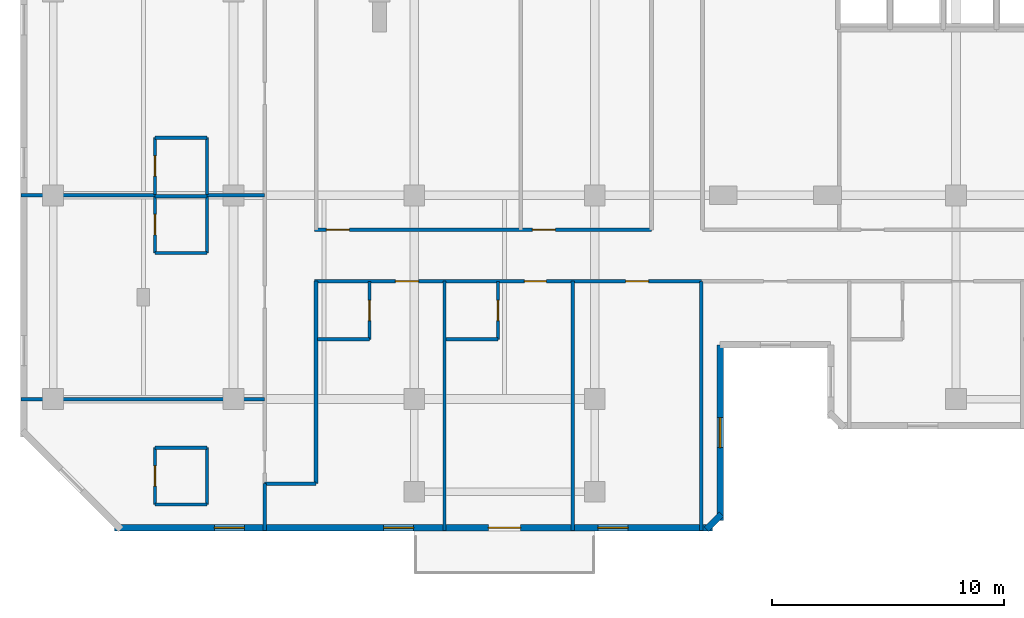
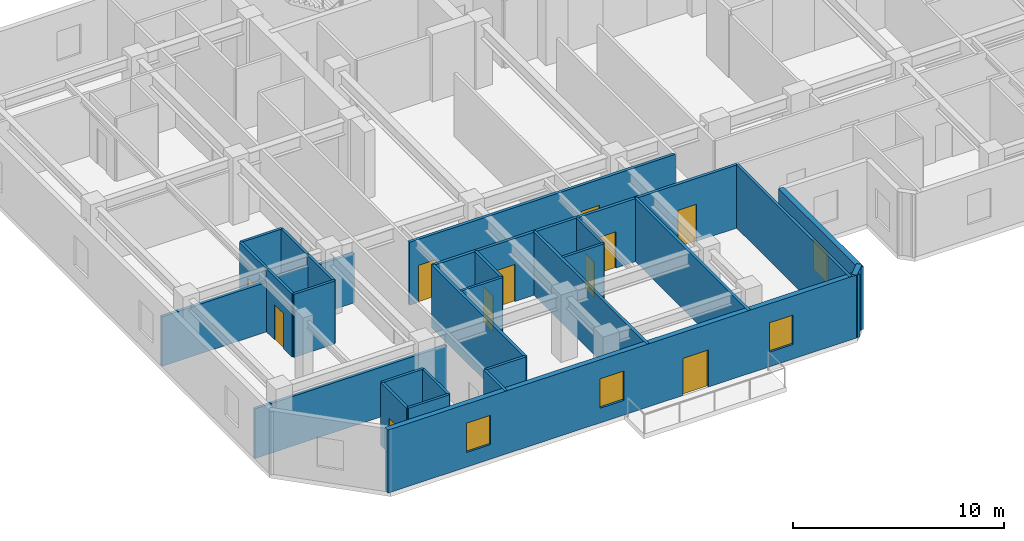
# One storey, part 4 of 11: 29 walls, 11 doors, 4 windows, 15 openings.
"""IFC4 building model written with IfcOpenShell, lengths in metres."""

from ifc_helpers import new_model, si_unit, direction, frame, frame_2d, origin, place, context, subcontext, project, spatial, rectangle, extrude, material, layer, layer_set, type_object, element, fill, save


model = new_model("IFC4")

# Units and contexts
model_context = context("Model", 3, precision=1e-05, world=origin(), true_north=direction((0.0, 1.0)))
body_context = subcontext(model_context, "Body", "Model", "MODEL_VIEW")
ifc_project = project(units=[si_unit("LENGTHUNIT", "METRE"), si_unit("AREAUNIT", "SQUARE_METRE"), si_unit("VOLUMEUNIT", "CUBIC_METRE"), si_unit("PLANEANGLEUNIT", "RADIAN"), si_unit("MASSUNIT", "GRAM", prefix="KILO")], contexts=[model_context])

# Site, building, storey
site_placement = place(None, origin())
site = spatial("IfcSite", under=ifc_project, at=site_placement, CompositionType="ELEMENT")
building_placement = place(site_placement, origin())
building = spatial("IfcBuilding", under=site, at=building_placement, Name="Kestravale Grand Hotel", CompositionType="ELEMENT")
storey_placement = place(building_placement, frame((0.0, 0.0, 208.5)))
storey = spatial("IfcBuildingStorey", under=building, at=storey_placement, Name="L52", CompositionType="ELEMENT", Elevation=208.5)

# Wall, openings, door, windows
ifc_material_1 = material(Name="Precast concrete f'c 45 MPa", Category="concrete")
ifc_layer_1 = layer(ifc_material_1, 0.280029296875)
ifc_layer_set_1 = layer_set([ifc_layer_1], Name="EW-PREC-280")
wall_type_1 = type_object("IfcWallType", Name="EW-PREC-280", PredefinedType="SOLIDWALL", material=ifc_layer_set_1)
wall_1_placement = place(storey_placement, frame((10.4599609375, 5.639892578125, 0.0), z_axis=(0.0, 0.0, 1.0), x_axis=(1.0, 0.0, 0.0)))
wall_1 = element("IfcWall", 1, at=wall_1_placement, inside=storey, type_object=wall_type_1, Name="L52 fluted precast facade wall 1", PredefinedType="SOLIDWALL", context=body_context, shape_type="SweptSolid", body=[
    extrude(rectangle(XDim=25.830078125, YDim=0.280029296875, at=frame_2d((12.9150390625, 0.0))), origin(), (0.0, 0.0, 1.0), 3.64990234375),
])
opening_1_placement = place(wall_1_placement, frame((16.139892578125, 0.0, 0.0)))
opening_1 = element("IfcOpeningElement", 2, at=opening_1_placement, cuts=wall_1, Name="Opening D-TERR-1400", PredefinedType="OPENING", context=body_context, shape_type="SweptSolid", body=[
    extrude(rectangle(XDim=1.39990234375, YDim=2.14990234375, at=frame_2d((0.699951171875, 1.074951171875))), frame((0.0, 0.14990234375, 0.0), z_axis=(0.0, -1.0, 0.0), x_axis=(1.0, 0.0, 0.0)), (0.0, 0.0, 1.0), 0.300048828125),
])
opening_2_placement = place(wall_1_placement, frame((4.304931640625, 0.0, 0.85009765625)))
opening_2 = element("IfcOpeningElement", 3, at=opening_2_placement, cuts=wall_1, Name="Opening W-GUEST-1300", PredefinedType="OPENING", context=body_context, shape_type="SweptSolid", body=[
    extrude(rectangle(XDim=1.300048828125, YDim=1.699951171875, at=frame_2d((0.64990234375, 0.85009765625))), frame((0.0, 0.14990234375, 0.0), z_axis=(0.0, -1.0, 0.0), x_axis=(1.0, 0.0, 0.0)), (0.0, 0.0, 1.0), 0.300048828125),
])
opening_3_placement = place(wall_1_placement, frame((11.614990234375, 0.0, 0.85009765625)))
opening_3 = element("IfcOpeningElement", 4, at=opening_3_placement, cuts=wall_1, Name="Opening W-GUEST-1300", PredefinedType="OPENING", context=body_context, shape_type="SweptSolid", body=[
    extrude(rectangle(XDim=1.300048828125, YDim=1.699951171875, at=frame_2d((0.64990234375, 0.85009765625))), frame((0.0, 0.14990234375, 0.0), z_axis=(0.0, -1.0, 0.0), x_axis=(1.0, 0.0, 0.0)), (0.0, 0.0, 1.0), 0.300048828125),
])
opening_4_placement = place(wall_1_placement, frame((20.875, 0.0, 0.85009765625)))
opening_4 = element("IfcOpeningElement", 5, at=opening_4_placement, cuts=wall_1, Name="Opening W-GUEST-1300", PredefinedType="OPENING", context=body_context, shape_type="SweptSolid", body=[
    extrude(rectangle(XDim=1.300048828125, YDim=1.699951171875, at=frame_2d((0.64990234375, 0.85009765625))), frame((0.0, 0.14990234375, 0.0), z_axis=(0.0, -1.0, 0.0), x_axis=(1.0, 0.0, 0.0)), (0.0, 0.0, 1.0), 0.300048828125),
])
ifc_material_2 = material(Name="Insulated glazed champagne-bronze aluminium door", Category="aluminium")
door_type_1 = type_object("IfcDoorType", Name="D-TERR-1400", OperationType="NOTDEFINED", PredefinedType="DOOR", material=ifc_material_2)
door_1_placement = place(opening_1_placement, origin())
door_1 = element("IfcDoor", 6, at=door_1_placement, inside=storey, type_object=door_type_1, Name="L52 outdoor garden terrace door", OperationType="DOUBLE_DOOR_SINGLE_SWING", OverallHeight=2.14990234375, OverallWidth=1.39990234375, PredefinedType="DOOR", context=body_context, shape_type="SweptSolid", body=[
    extrude(rectangle(XDim=1.39990234375, YDim=2.14990234375, at=frame_2d((0.699951171875, 1.074951171875))), frame((0.0, 0.02490234375, 0.0), z_axis=(0.0, -1.0, 0.0), x_axis=(1.0, 0.0, 0.0)), (0.0, 0.0, 1.0), 0.050048828125),
])
fill(opening_1, door_1)
ifc_material_3 = material(Name="Insulated low-E double glazing in aluminium frame", Category="aluminium")
window_type = type_object("IfcWindowType", Name="W-GUEST-1300", PartitioningType="SINGLE_PANEL", PredefinedType="WINDOW", material=ifc_material_3)
window_1_placement = place(opening_2_placement, origin())
window_1 = element("IfcWindow", 7, at=window_1_placement, inside=storey, type_object=window_type, Name="L52 exterior window 1.1", OverallHeight=1.699951171875, OverallWidth=1.300048828125, PartitioningType="SINGLE_PANEL", PredefinedType="WINDOW", context=body_context, shape_type="SweptSolid", body=[
    extrude(rectangle(XDim=1.300048828125, YDim=1.699951171875, at=frame_2d((0.64990234375, 0.85009765625))), frame((0.0, 0.030029296875, 0.0), z_axis=(0.0, -1.0, 0.0), x_axis=(1.0, 0.0, 0.0)), (0.0, 0.0, 1.0), 0.06005859375),
])
fill(opening_2, window_1)
window_2_placement = place(opening_3_placement, origin())
window_2 = element("IfcWindow", 8, at=window_2_placement, inside=storey, type_object=window_type, Name="L52 exterior window 1.2", OverallHeight=1.699951171875, OverallWidth=1.300048828125, PartitioningType="SINGLE_PANEL", PredefinedType="WINDOW", context=body_context, shape_type="SweptSolid", body=[
    extrude(rectangle(XDim=1.300048828125, YDim=1.699951171875, at=frame_2d((0.64990234375, 0.85009765625))), frame((0.0, 0.030029296875, 0.0), z_axis=(0.0, -1.0, 0.0), x_axis=(1.0, 0.0, 0.0)), (0.0, 0.0, 1.0), 0.06005859375),
])
fill(opening_3, window_2)
window_3_placement = place(opening_4_placement, origin())
window_3 = element("IfcWindow", 9, at=window_3_placement, inside=storey, type_object=window_type, Name="L52 exterior window 1.3", OverallHeight=1.699951171875, OverallWidth=1.300048828125, PartitioningType="SINGLE_PANEL", PredefinedType="WINDOW", context=body_context, shape_type="SweptSolid", body=[
    extrude(rectangle(XDim=1.300048828125, YDim=1.699951171875, at=frame_2d((0.64990234375, 0.85009765625))), frame((0.0, 0.030029296875, 0.0), z_axis=(0.0, -1.0, 0.0), x_axis=(1.0, 0.0, 0.0)), (0.0, 0.0, 1.0), 0.06005859375),
])
fill(opening_4, window_3)

# Wall
wall_2_placement = place(storey_placement, frame((36.022705078125, 5.57080078125, 0.0), z_axis=(0.0, 0.0, 1.0), x_axis=(0.707106781187, 0.707106781187, 0.0)))
element("IfcWall", 10, at=wall_2_placement, inside=storey, type_object=wall_type_1, Name="L52 fluted precast facade wall 2", PredefinedType="SOLIDWALL", context=body_context, shape_type="SweptSolid", body=[
    extrude(rectangle(XDim=0.928466796875, YDim=0.280029296875, at=frame_2d((0.46435546875, 0.0))), origin(), (0.0, 0.0, 1.0), 3.64990234375),
])

# Wall, opening, window
wall_3_placement = place(storey_placement, frame((36.610107421875, 5.9599609375, 0.0), z_axis=(0.0, 0.0, 1.0), x_axis=(0.0, 1.0, 0.0)))
wall_3 = element("IfcWall", 11, at=wall_3_placement, inside=storey, type_object=wall_type_1, Name="L52 fluted precast facade wall 3", PredefinedType="SOLIDWALL", context=body_context, shape_type="SweptSolid", body=[
    extrude(rectangle(XDim=7.580078125, YDim=0.280029296875, at=frame_2d((3.7900390625, 0.0))), origin(), (0.0, 0.0, 1.0), 3.64990234375),
])
opening_5_placement = place(wall_3_placement, frame((3.139892578125, 0.0, 0.85009765625)))
opening_5 = element("IfcOpeningElement", 12, at=opening_5_placement, cuts=wall_3, Name="Opening W-GUEST-1300", PredefinedType="OPENING", context=body_context, shape_type="SweptSolid", body=[
    extrude(rectangle(XDim=1.300048828125, YDim=1.699951171875, at=frame_2d((0.64990234375, 0.85009765625))), frame((0.0, 0.14990234375, 0.0), z_axis=(0.0, -1.0, 0.0), x_axis=(1.0, 0.0, 0.0)), (0.0, 0.0, 1.0), 0.300048828125),
])
window_4_placement = place(opening_5_placement, origin())
window_4 = element("IfcWindow", 13, at=window_4_placement, inside=storey, type_object=window_type, Name="L52 exterior window 3.1", OverallHeight=1.699951171875, OverallWidth=1.300048828125, PartitioningType="SINGLE_PANEL", PredefinedType="WINDOW", context=body_context, shape_type="SweptSolid", body=[
    extrude(rectangle(XDim=1.300048828125, YDim=1.699951171875, at=frame_2d((0.64990234375, 0.85009765625))), frame((0.0, 0.030029296875, 0.0), z_axis=(0.0, -1.0, 0.0), x_axis=(1.0, 0.0, 0.0)), (0.0, 0.0, 1.0), 0.06005859375),
])
fill(opening_5, window_4)

# Wall, openings, doors
ifc_material_4 = material(Name="Acoustic fire-rated gypsum board partition", Category="other")
ifc_layer_2 = layer(ifc_material_4, 0.159912109375)
ifc_layer_set_2 = layer_set([ifc_layer_2], Name="IW-CORR-160")
wall_type_2 = type_object("IfcWallType", Name="IW-CORR-160", PredefinedType="PARTITIONING", material=ifc_layer_set_2)
wall_4_placement = place(storey_placement, frame((19.10009765625, 18.510009765625, 0.0), z_axis=(0.0, 0.0, 1.0), x_axis=(1.0, 0.0, 0.0)))
wall_4 = element("IfcWall", 14, at=wall_4_placement, inside=storey, type_object=wall_type_2, Name="W-L52-CW-N", PredefinedType="PARTITIONING", context=body_context, shape_type="SweptSolid", body=[
    extrude(rectangle(XDim=14.5498046875, YDim=0.159912109375, at=frame_2d((7.27490234375, 0.0))), origin(), (0.0, 0.0, 1.0), 3.64990234375),
])
opening_6_placement = place(wall_4_placement, frame((0.5, 0.0, 0.0)))
opening_6 = element("IfcOpeningElement", 15, at=opening_6_placement, cuts=wall_4, Name="Opening D-GUEST-1000", PredefinedType="OPENING", context=body_context, shape_type="SweptSolid", body=[
    extrude(rectangle(XDim=1.0, YDim=2.14990234375, at=frame_2d((0.5, 1.074951171875))), frame((0.0, 0.08984375, 0.0), z_axis=(0.0, -1.0, 0.0), x_axis=(1.0, 0.0, 0.0)), (0.0, 0.0, 1.0), 0.179931640625),
])
opening_7_placement = place(wall_4_placement, frame((9.39990234375, 0.0, 0.0)))
opening_7 = element("IfcOpeningElement", 16, at=opening_7_placement, cuts=wall_4, Name="Opening D-GUEST-1000", PredefinedType="OPENING", context=body_context, shape_type="SweptSolid", body=[
    extrude(rectangle(XDim=1.0, YDim=2.14990234375, at=frame_2d((0.5, 1.074951171875))), frame((0.0, 0.08984375, 0.0), z_axis=(0.0, -1.0, 0.0), x_axis=(1.0, 0.0, 0.0)), (0.0, 0.0, 1.0), 0.179931640625),
])
ifc_material_5 = material(Name="Accessible walnut veneer hotel entrance fire door", Category="wood")
door_type_2 = type_object("IfcDoorType", Name="D-GUEST-1000", OperationType="NOTDEFINED", PredefinedType="DOOR", material=ifc_material_5)
door_2_placement = place(opening_6_placement, origin())
door_2 = element("IfcDoor", 17, at=door_2_placement, inside=storey, type_object=door_type_2, Name="D-L52-RECL-W1", OperationType="SINGLE_SWING_RIGHT", OverallHeight=2.14990234375, OverallWidth=1.0, PredefinedType="DOOR", context=body_context, shape_type="SweptSolid", body=[
    extrude(rectangle(XDim=1.0, YDim=2.14990234375, at=frame_2d((0.5, 1.074951171875))), frame((0.0, 0.02490234375, 0.0), z_axis=(0.0, -1.0, 0.0), x_axis=(1.0, 0.0, 0.0)), (0.0, 0.0, 1.0), 0.050048828125),
])
fill(opening_6, door_2)
door_3_placement = place(opening_7_placement, origin())
door_3 = element("IfcDoor", 18, at=door_3_placement, inside=storey, type_object=door_type_2, Name="D-L52-RECL-W2", OperationType="SINGLE_SWING_LEFT", OverallHeight=2.14990234375, OverallWidth=1.0, PredefinedType="DOOR", context=body_context, shape_type="SweptSolid", body=[
    extrude(rectangle(XDim=1.0, YDim=2.14990234375, at=frame_2d((0.5, 1.074951171875))), frame((0.0, 0.02490234375, 0.0), z_axis=(0.0, -1.0, 0.0), x_axis=(1.0, 0.0, 0.0)), (0.0, 0.0, 1.0), 0.050048828125),
])
fill(opening_7, door_3)

wall_5_placement = place(storey_placement, frame((19.10009765625, 16.2900390625, 0.0), z_axis=(0.0, 0.0, 1.0), x_axis=(1.0, 0.0, 0.0)))
wall_5 = element("IfcWall", 19, at=wall_5_placement, inside=storey, type_object=wall_type_2, Name="W-L52-CW-S", PredefinedType="PARTITIONING", context=body_context, shape_type="SweptSolid", body=[
    extrude(rectangle(XDim=16.699951171875, YDim=0.159912109375, at=frame_2d((8.35009765625, 0.0))), origin(), (0.0, 0.0, 1.0), 3.64990234375),
])
opening_8_placement = place(wall_5_placement, frame((3.48828125, 0.0, 0.0)))
opening_8 = element("IfcOpeningElement", 20, at=opening_8_placement, cuts=wall_5, Name="Opening D-GUEST-1000", PredefinedType="OPENING", context=body_context, shape_type="SweptSolid", body=[
    extrude(rectangle(XDim=1.0, YDim=2.14990234375, at=frame_2d((0.5, 1.074951171875))), frame((0.0, 0.08984375, 0.0), z_axis=(0.0, -1.0, 0.0), x_axis=(1.0, 0.0, 0.0)), (0.0, 0.0, 1.0), 0.179931640625),
])
opening_9_placement = place(wall_5_placement, frame((9.06005859375, 0.0, 0.0)))
opening_9 = element("IfcOpeningElement", 21, at=opening_9_placement, cuts=wall_5, Name="Opening D-GUEST-950", PredefinedType="OPENING", context=body_context, shape_type="SweptSolid", body=[
    extrude(rectangle(XDim=0.949951171875, YDim=2.10009765625, at=frame_2d((0.47509765625, 1.050048828125))), frame((0.0, 0.08984375, 0.0), z_axis=(0.0, -1.0, 0.0), x_axis=(1.0, 0.0, 0.0)), (0.0, 0.0, 1.0), 0.179931640625),
])
opening_10_placement = place(wall_5_placement, frame((13.426513671875, 0.0, 0.0)))
opening_10 = element("IfcOpeningElement", 22, at=opening_10_placement, cuts=wall_5, Name="Opening D-GUEST-1000", PredefinedType="OPENING", context=body_context, shape_type="SweptSolid", body=[
    extrude(rectangle(XDim=1.0, YDim=2.14990234375, at=frame_2d((0.5, 1.074951171875))), frame((0.0, 0.08984375, 0.0), z_axis=(0.0, -1.0, 0.0), x_axis=(1.0, 0.0, 0.0)), (0.0, 0.0, 1.0), 0.179931640625),
])
door_4_placement = place(opening_8_placement, origin())
door_4 = element("IfcDoor", 23, at=door_4_placement, inside=storey, type_object=door_type_2, Name="D-L52-U01-ENT", OperationType="SINGLE_SWING_LEFT", OverallHeight=2.14990234375, OverallWidth=1.0, PredefinedType="DOOR", context=body_context, shape_type="SweptSolid", body=[
    extrude(rectangle(XDim=1.0, YDim=2.14990234375, at=frame_2d((0.5, 1.074951171875))), frame((0.0, 0.02490234375, 0.0), z_axis=(0.0, -1.0, 0.0), x_axis=(1.0, 0.0, 0.0)), (0.0, 0.0, 1.0), 0.050048828125),
])
fill(opening_8, door_4)
door_5_placement = place(opening_10_placement, origin())
door_5 = element("IfcDoor", 24, at=door_5_placement, inside=storey, type_object=door_type_2, Name="D-L52-AMW", OperationType="SINGLE_SWING_RIGHT", OverallHeight=2.14990234375, OverallWidth=1.0, PredefinedType="DOOR", context=body_context, shape_type="SweptSolid", body=[
    extrude(rectangle(XDim=1.0, YDim=2.14990234375, at=frame_2d((0.5, 1.074951171875))), frame((0.0, 0.02490234375, 0.0), z_axis=(0.0, -1.0, 0.0), x_axis=(1.0, 0.0, 0.0)), (0.0, 0.0, 1.0), 0.050048828125),
])
fill(opening_10, door_5)
ifc_material_6 = material(Name="Walnut veneer hotel guestroom entrance fire door", Category="wood")
door_type_3 = type_object("IfcDoorType", Name="D-GUEST-950", OperationType="NOTDEFINED", PredefinedType="DOOR", material=ifc_material_6)
door_6_placement = place(opening_9_placement, origin())
door_6 = element("IfcDoor", 25, at=door_6_placement, inside=storey, type_object=door_type_3, Name="D-L52-U02-ENT", OperationType="SINGLE_SWING_LEFT", OverallHeight=2.10009765625, OverallWidth=0.949951171875, PredefinedType="DOOR", context=body_context, shape_type="SweptSolid", body=[
    extrude(rectangle(XDim=0.949951171875, YDim=2.10009765625, at=frame_2d((0.47509765625, 1.050048828125))), frame((0.0, 0.02490234375, 0.0), z_axis=(0.0, -1.0, 0.0), x_axis=(1.0, 0.0, 0.0)), (0.0, 0.0, 1.0), 0.050048828125),
])
fill(opening_9, door_6)

# Wall
wall_6_placement = place(storey_placement, frame((19.159912109375, 7.550048828125, 0.0), z_axis=(0.0, 0.0, 1.0), x_axis=(0.0, 1.0, 0.0)))
element("IfcWall", 26, at=wall_6_placement, inside=storey, type_object=wall_type_2, Name="W-L52-SW-E", PredefinedType="PARTITIONING", context=body_context, shape_type="SweptSolid", body=[
    extrude(rectangle(XDim=8.739990234375, YDim=0.159912109375, at=frame_2d((4.3701171875, 0.0))), origin(), (0.0, 0.0, 1.0), 3.64990234375),
])

# Wall, opening, door
ifc_material_7 = material(Name="Moisture-resistant tile-backer plumbing chase wall", Category="other")
ifc_layer_3 = layer(ifc_material_7, 0.139892578125)
ifc_layer_set_3 = layer_set([ifc_layer_3], Name="IW-PLB-140")
wall_type_3 = type_object("IfcWallType", Name="IW-PLB-140", PredefinedType="PLUMBINGWALL", material=ifc_layer_set_3)
wall_7_placement = place(storey_placement, frame((21.469970703125, 13.780029296875, 0.0), z_axis=(0.0, 0.0, 1.0), x_axis=(0.0, 1.0, 0.0)))
wall_7 = element("IfcWall", 27, at=wall_7_placement, inside=storey, type_object=wall_type_3, Name="W-L52-U01-BE", PredefinedType="PLUMBINGWALL", context=body_context, shape_type="SweptSolid", body=[
    extrude(rectangle(XDim=2.489990234375, YDim=0.139892578125, at=frame_2d((1.2451171875, 0.0))), origin(), (0.0, 0.0, 1.0), 3.64990234375),
])
opening_11_placement = place(wall_7_placement, frame((0.804931640625, 0.0, 0.0)))
opening_11 = element("IfcOpeningElement", 28, at=opening_11_placement, cuts=wall_7, Name="Opening D-BATH-880", PredefinedType="OPENING", context=body_context, shape_type="SweptSolid", body=[
    extrude(rectangle(XDim=0.8798828125, YDim=2.050048828125, at=frame_2d((0.43994140625, 1.02490234375))), frame((0.0, 0.079833984375, 0.0), z_axis=(0.0, -1.0, 0.0), x_axis=(1.0, 0.0, 0.0)), (0.0, 0.0, 1.0), 0.159912109375),
])
ifc_material_8 = material(Name="Moisture-sealed walnut en-suite bathroom door", Category="wood")
door_type_4 = type_object("IfcDoorType", Name="D-BATH-880", OperationType="NOTDEFINED", PredefinedType="DOOR", material=ifc_material_8)
door_7_placement = place(opening_11_placement, origin())
door_7 = element("IfcDoor", 29, at=door_7_placement, inside=storey, type_object=door_type_4, Name="D-L52-U01-BATH", OperationType="SINGLE_SWING_RIGHT", OverallHeight=2.050048828125, OverallWidth=0.8798828125, PredefinedType="DOOR", context=body_context, shape_type="SweptSolid", body=[
    extrude(rectangle(XDim=0.8798828125, YDim=2.050048828125, at=frame_2d((0.43994140625, 1.02490234375))), frame((0.0, 0.02490234375, 0.0), z_axis=(0.0, -1.0, 0.0), x_axis=(1.0, 0.0, 0.0)), (0.0, 0.0, 1.0), 0.050048828125),
])
fill(opening_11, door_7)

# Wall
wall_8_placement = place(storey_placement, frame((19.219970703125, 13.780029296875, 0.0), z_axis=(0.0, 0.0, 1.0), x_axis=(1.0, 0.0, 0.0)))
element("IfcWall", 30, at=wall_8_placement, inside=storey, type_object=wall_type_3, Name="W-L52-U01-BS", PredefinedType="PLUMBINGWALL", context=body_context, shape_type="SweptSolid", body=[
    extrude(rectangle(XDim=2.25, YDim=0.139892578125, at=frame_2d((1.125, 0.0))), origin(), (0.0, 0.0, 1.0), 3.64990234375),
])

# Wall, opening, door
wall_9_placement = place(storey_placement, frame((27.0166015625, 13.780029296875, 0.0), z_axis=(0.0, 0.0, 1.0), x_axis=(0.0, 1.0, 0.0)))
wall_9 = element("IfcWall", 31, at=wall_9_placement, inside=storey, type_object=wall_type_3, Name="W-L52-U02-BE", PredefinedType="PLUMBINGWALL", context=body_context, shape_type="SweptSolid", body=[
    extrude(rectangle(XDim=2.489990234375, YDim=0.139892578125, at=frame_2d((1.2451171875, 0.0))), origin(), (0.0, 0.0, 1.0), 3.64990234375),
])
opening_12_placement = place(wall_9_placement, frame((0.804931640625, 0.0, 0.0)))
opening_12 = element("IfcOpeningElement", 32, at=opening_12_placement, cuts=wall_9, Name="Opening D-BATH-880", PredefinedType="OPENING", context=body_context, shape_type="SweptSolid", body=[
    extrude(rectangle(XDim=0.8798828125, YDim=2.050048828125, at=frame_2d((0.43994140625, 1.02490234375))), frame((0.0, 0.079833984375, 0.0), z_axis=(0.0, -1.0, 0.0), x_axis=(1.0, 0.0, 0.0)), (0.0, 0.0, 1.0), 0.159912109375),
])
door_8_placement = place(opening_12_placement, origin())
door_8 = element("IfcDoor", 33, at=door_8_placement, inside=storey, type_object=door_type_4, Name="D-L52-U02-BATH", OperationType="SINGLE_SWING_RIGHT", OverallHeight=2.050048828125, OverallWidth=0.8798828125, PredefinedType="DOOR", context=body_context, shape_type="SweptSolid", body=[
    extrude(rectangle(XDim=0.8798828125, YDim=2.050048828125, at=frame_2d((0.43994140625, 1.02490234375))), frame((0.0, 0.02490234375, 0.0), z_axis=(0.0, -1.0, 0.0), x_axis=(1.0, 0.0, 0.0)), (0.0, 0.0, 1.0), 0.050048828125),
])
fill(opening_12, door_8)

# Wall
wall_10_placement = place(storey_placement, frame((24.7666015625, 13.780029296875, 0.0), z_axis=(0.0, 0.0, 1.0), x_axis=(1.0, 0.0, 0.0)))
element("IfcWall", 34, at=wall_10_placement, inside=storey, type_object=wall_type_3, Name="W-L52-U02-BS", PredefinedType="PLUMBINGWALL", context=body_context, shape_type="SweptSolid", body=[
    extrude(rectangle(XDim=2.25, YDim=0.139892578125, at=frame_2d((1.125, 0.0))), origin(), (0.0, 0.0, 1.0), 3.64990234375),
])

# Wall, opening, door
wall_11_placement = place(storey_placement, frame((12.199951171875, 6.64990234375, 0.0), z_axis=(0.0, 0.0, 1.0), x_axis=(0.0, 1.0, 0.0)))
wall_11 = element("IfcWall", 35, at=wall_11_placement, inside=storey, type_object=wall_type_3, Name="W-L52-U05-BW", PredefinedType="PLUMBINGWALL", context=body_context, shape_type="SweptSolid", body=[
    extrude(rectangle(XDim=2.4501953125, YDim=0.139892578125, at=frame_2d((1.22509765625, 0.0))), origin(), (0.0, 0.0, 1.0), 3.64990234375),
])
opening_13_placement = place(wall_11_placement, frame((0.784912109375, 0.0, 0.0)))
opening_13 = element("IfcOpeningElement", 36, at=opening_13_placement, cuts=wall_11, Name="Opening D-BATH-880", PredefinedType="OPENING", context=body_context, shape_type="SweptSolid", body=[
    extrude(rectangle(XDim=0.8798828125, YDim=2.050048828125, at=frame_2d((0.43994140625, 1.02490234375))), frame((0.0, 0.079833984375, 0.0), z_axis=(0.0, -1.0, 0.0), x_axis=(1.0, 0.0, 0.0)), (0.0, 0.0, 1.0), 0.159912109375),
])
door_9_placement = place(opening_13_placement, origin())
door_9 = element("IfcDoor", 37, at=door_9_placement, inside=storey, type_object=door_type_4, Name="D-L52-U05-BATH", OperationType="SINGLE_SWING_RIGHT", OverallHeight=2.050048828125, OverallWidth=0.8798828125, PredefinedType="DOOR", context=body_context, shape_type="SweptSolid", body=[
    extrude(rectangle(XDim=0.8798828125, YDim=2.050048828125, at=frame_2d((0.43994140625, 1.02490234375))), frame((0.0, 0.02490234375, 0.0), z_axis=(0.0, -1.0, 0.0), x_axis=(1.0, 0.0, 0.0)), (0.0, 0.0, 1.0), 0.050048828125),
])
fill(opening_13, door_9)

# Walls
wall_12_placement = place(storey_placement, frame((14.449951171875, 6.64990234375, 0.0), z_axis=(0.0, 0.0, 1.0), x_axis=(0.0, 1.0, 0.0)))
element("IfcWall", 38, at=wall_12_placement, inside=storey, type_object=wall_type_3, Name="W-L52-U05-BE", PredefinedType="PLUMBINGWALL", context=body_context, shape_type="SweptSolid", body=[
    extrude(rectangle(XDim=2.4501953125, YDim=0.139892578125, at=frame_2d((1.22509765625, 0.0))), origin(), (0.0, 0.0, 1.0), 3.64990234375),
])
for number, where, z_axis, x_axis, name in (
    (39, (12.199951171875, 6.64990234375, 0.0), (0.0, 0.0, 1.0), (1.0, 0.0, 0.0), "W-L52-U05-BS"),
    (40, (12.199951171875, 9.10009765625, 0.0), (0.0, 0.0, 1.0), (1.0, 0.0, 0.0), "W-L52-U05-BN"),
):
    element("IfcWall", number, at=place(storey_placement, frame(where, z_axis=z_axis, x_axis=x_axis)), inside=storey, type_object=wall_type_3, Name=name, PredefinedType="PLUMBINGWALL", context=body_context, shape_type="SweptSolid", body=[
        extrude(rectangle(XDim=2.25, YDim=0.139892578125, at=frame_2d((1.125, 0.0))), origin(), (0.0, 0.0, 1.0), 3.64990234375),
    ])

# Wall, opening, door
wall_13_placement = place(storey_placement, frame((12.199951171875, 17.510009765625, 0.0), z_axis=(0.0, 0.0, 1.0), x_axis=(0.0, 1.0, 0.0)))
wall_13 = element("IfcWall", 41, at=wall_13_placement, inside=storey, type_object=wall_type_3, Name="W-L52-U06-BW", PredefinedType="PLUMBINGWALL", context=body_context, shape_type="SweptSolid", body=[
    extrude(rectangle(XDim=2.449951171875, YDim=0.139892578125, at=frame_2d((1.22509765625, 0.0))), origin(), (0.0, 0.0, 1.0), 3.64990234375),
])
opening_14_placement = place(wall_13_placement, frame((0.784912109375, 0.0, 0.0)))
opening_14 = element("IfcOpeningElement", 42, at=opening_14_placement, cuts=wall_13, Name="Opening D-BATH-880", PredefinedType="OPENING", context=body_context, shape_type="SweptSolid", body=[
    extrude(rectangle(XDim=0.8798828125, YDim=2.050048828125, at=frame_2d((0.43994140625, 1.02490234375))), frame((0.0, 0.079833984375, 0.0), z_axis=(0.0, -1.0, 0.0), x_axis=(1.0, 0.0, 0.0)), (0.0, 0.0, 1.0), 0.159912109375),
])
door_10_placement = place(opening_14_placement, origin())
door_10 = element("IfcDoor", 43, at=door_10_placement, inside=storey, type_object=door_type_4, Name="D-L52-U06-BATH", OperationType="SINGLE_SWING_RIGHT", OverallHeight=2.050048828125, OverallWidth=0.8798828125, PredefinedType="DOOR", context=body_context, shape_type="SweptSolid", body=[
    extrude(rectangle(XDim=0.8798828125, YDim=2.050048828125, at=frame_2d((0.43994140625, 1.02490234375))), frame((0.0, 0.02490234375, 0.0), z_axis=(0.0, -1.0, 0.0), x_axis=(1.0, 0.0, 0.0)), (0.0, 0.0, 1.0), 0.050048828125),
])
fill(opening_14, door_10)

# Walls
wall_14_placement = place(storey_placement, frame((14.449951171875, 17.510009765625, 0.0), z_axis=(0.0, 0.0, 1.0), x_axis=(0.0, 1.0, 0.0)))
element("IfcWall", 44, at=wall_14_placement, inside=storey, type_object=wall_type_3, Name="W-L52-U06-BE", PredefinedType="PLUMBINGWALL", context=body_context, shape_type="SweptSolid", body=[
    extrude(rectangle(XDim=2.449951171875, YDim=0.139892578125, at=frame_2d((1.22509765625, 0.0))), origin(), (0.0, 0.0, 1.0), 3.64990234375),
])
wall_15_placement = place(storey_placement, frame((12.199951171875, 17.510009765625, 0.0), z_axis=(0.0, 0.0, 1.0), x_axis=(1.0, 0.0, 0.0)))
element("IfcWall", 45, at=wall_15_placement, inside=storey, type_object=wall_type_3, Name="W-L52-U06-BS", PredefinedType="PLUMBINGWALL", context=body_context, shape_type="SweptSolid", body=[
    extrude(rectangle(XDim=2.25, YDim=0.139892578125, at=frame_2d((1.125, 0.0))), origin(), (0.0, 0.0, 1.0), 3.64990234375),
])
wall_16_placement = place(storey_placement, frame((12.199951171875, 19.9599609375, 0.0), z_axis=(0.0, 0.0, 1.0), x_axis=(1.0, 0.0, 0.0)))
element("IfcWall", 46, at=wall_16_placement, inside=storey, type_object=wall_type_3, Name="W-L52-U06-BN", PredefinedType="PLUMBINGWALL", context=body_context, shape_type="SweptSolid", body=[
    extrude(rectangle(XDim=2.25, YDim=0.139892578125, at=frame_2d((1.125, 0.0))), origin(), (0.0, 0.0, 1.0), 3.0380859375),
])

# Wall, opening, door
wall_17_placement = place(storey_placement, frame((12.199951171875, 20.0400390625, 0.0), z_axis=(0.0, 0.0, 1.0), x_axis=(0.0, 1.0, 0.0)))
wall_17 = element("IfcWall", 47, at=wall_17_placement, inside=storey, type_object=wall_type_3, Name="W-L52-U07-BW", PredefinedType="PLUMBINGWALL", context=body_context, shape_type="SweptSolid", body=[
    extrude(rectangle(XDim=2.449951171875, YDim=0.139892578125, at=frame_2d((1.22509765625, 0.0))), origin(), (0.0, 0.0, 1.0), 3.64990234375),
])
opening_15_placement = place(wall_17_placement, frame((0.784912109375, 0.0, 0.0)))
opening_15 = element("IfcOpeningElement", 48, at=opening_15_placement, cuts=wall_17, Name="Opening D-BATH-880", PredefinedType="OPENING", context=body_context, shape_type="SweptSolid", body=[
    extrude(rectangle(XDim=0.8798828125, YDim=2.050048828125, at=frame_2d((0.43994140625, 1.02490234375))), frame((0.0, 0.079833984375, 0.0), z_axis=(0.0, -1.0, 0.0), x_axis=(1.0, 0.0, 0.0)), (0.0, 0.0, 1.0), 0.159912109375),
])
door_11_placement = place(opening_15_placement, origin())
door_11 = element("IfcDoor", 49, at=door_11_placement, inside=storey, type_object=door_type_4, Name="D-L52-U07-BATH", OperationType="SINGLE_SWING_RIGHT", OverallHeight=2.050048828125, OverallWidth=0.8798828125, PredefinedType="DOOR", context=body_context, shape_type="SweptSolid", body=[
    extrude(rectangle(XDim=0.8798828125, YDim=2.050048828125, at=frame_2d((0.43994140625, 1.02490234375))), frame((0.0, 0.02490234375, 0.0), z_axis=(0.0, -1.0, 0.0), x_axis=(1.0, 0.0, 0.0)), (0.0, 0.0, 1.0), 0.050048828125),
])
fill(opening_15, door_11)

# Walls
wall_18_placement = place(storey_placement, frame((14.449951171875, 20.0400390625, 0.0), z_axis=(0.0, 0.0, 1.0), x_axis=(0.0, 1.0, 0.0)))
element("IfcWall", 50, at=wall_18_placement, inside=storey, type_object=wall_type_3, Name="W-L52-U07-BE", PredefinedType="PLUMBINGWALL", context=body_context, shape_type="SweptSolid", body=[
    extrude(rectangle(XDim=2.449951171875, YDim=0.139892578125, at=frame_2d((1.22509765625, 0.0))), origin(), (0.0, 0.0, 1.0), 3.64990234375),
])
wall_19_placement = place(storey_placement, frame((12.199951171875, 22.489990234375, 0.0), z_axis=(0.0, 0.0, 1.0), x_axis=(1.0, 0.0, 0.0)))
element("IfcWall", 51, at=wall_19_placement, inside=storey, type_object=wall_type_3, Name="W-L52-U07-BN", PredefinedType="PLUMBINGWALL", context=body_context, shape_type="SweptSolid", body=[
    extrude(rectangle(XDim=2.25, YDim=0.139892578125, at=frame_2d((1.125, 0.0))), origin(), (0.0, 0.0, 1.0), 3.64990234375),
])
ifc_material_9 = material(Name="Double-stud STC 52 acoustic demising partition", Category="other")
ifc_layer_4 = layer(ifc_material_9, 0.14990234375)
ifc_layer_set_4 = layer_set([ifc_layer_4], Name="IW-UNIT-150")
wall_type_4 = type_object("IfcWallType", Name="IW-UNIT-150", PredefinedType="PARTITIONING", material=ifc_layer_set_4)
wall_20_placement = place(storey_placement, frame((16.93994140625, 7.550048828125, 0.0), z_axis=(0.0, 0.0, 1.0), x_axis=(1.0, 0.0, 0.0)))
element("IfcWall", 52, at=wall_20_placement, inside=storey, type_object=wall_type_4, Name="W-L52-SW-S", PredefinedType="PARTITIONING", context=body_context, shape_type="SweptSolid", body=[
    extrude(rectangle(XDim=2.219970703125, YDim=0.14990234375, at=frame_2d((1.10986328125, 0.0))), origin(), (0.0, 0.0, 1.0), 3.64990234375),
])
for number, where, z_axis, x_axis, name in (
    (53, (24.706787109375, 5.52001953125, 0.0), (0.0, 0.0, 1.0), (0.0, 1.0, 0.0), "W-L52-WS-1"),
    (54, (30.25341796875, 5.52001953125, 0.0), (0.0, 0.0, 1.0), (0.0, 1.0, 0.0), "W-L52-WS-2"),
):
    element("IfcWall", number, at=place(storey_placement, frame(where, z_axis=z_axis, x_axis=x_axis)), inside=storey, type_object=wall_type_4, Name=name, PredefinedType="PARTITIONING", context=body_context, shape_type="SweptSolid", body=[
        extrude(rectangle(XDim=10.77001953125, YDim=0.14990234375, at=frame_2d((5.385009765625, 0.0))), origin(), (0.0, 0.0, 1.0), 3.64990234375),
    ])
wall_21_placement = place(storey_placement, frame((35.800048828125, 5.52001953125, 0.0), z_axis=(0.0, 0.0, 1.0), x_axis=(0.0, 1.0, 0.0)))
element("IfcWall", 55, at=wall_21_placement, inside=storey, type_object=wall_type_4, Name="W-L52-MID-S", PredefinedType="PARTITIONING", context=body_context, shape_type="SweptSolid", body=[
    extrude(rectangle(XDim=10.75, YDim=0.14990234375, at=frame_2d((5.375, 0.0))), origin(), (0.0, 0.0, 1.0), 3.64990234375),
])
wall_22_placement = place(storey_placement, frame((16.93994140625, 5.52001953125, 0.0), z_axis=(0.0, 0.0, 1.0), x_axis=(0.0, 1.0, 0.0)))
element("IfcWall", 56, at=wall_22_placement, inside=storey, type_object=wall_type_4, Name="W-L52-SW-EXT", PredefinedType="PARTITIONING", context=body_context, shape_type="SweptSolid", body=[
    extrude(rectangle(XDim=2.030029296875, YDim=0.14990234375, at=frame_2d((1.01513671875, 0.0))), origin(), (0.0, 0.0, 1.0), 3.64990234375),
])
wall_23_placement = place(storey_placement, frame((6.419921875, 11.199951171875, 0.0), z_axis=(0.0, 0.0, 1.0), x_axis=(1.0, 0.0, 0.0)))
element("IfcWall", 57, at=wall_23_placement, inside=storey, type_object=wall_type_4, Name="W-L52-WW-1", PredefinedType="PARTITIONING", context=body_context, shape_type="SweptSolid", body=[
    extrude(rectangle(XDim=10.52001953125, YDim=0.14990234375, at=frame_2d((5.260009765625, 0.0))), origin(), (0.0, 0.0, 1.0), 2.8779296875),
])
wall_24_placement = place(storey_placement, frame((6.419921875, 20.0, 0.0), z_axis=(0.0, 0.0, 1.0), x_axis=(1.0, 0.0, 0.0)))
element("IfcWall", 58, at=wall_24_placement, inside=storey, type_object=wall_type_4, Name="W-L52-WW-2", PredefinedType="PARTITIONING", context=body_context, shape_type="SweptSolid", body=[
    extrude(rectangle(XDim=5.780029296875, YDim=0.14990234375, at=frame_2d((2.89013671875, 0.0))), origin(), (0.0, 0.0, 1.0), 2.8779296875),
])
wall_25_placement = place(storey_placement, frame((14.449951171875, 20.0, 0.0), z_axis=(0.0, 0.0, 1.0), x_axis=(1.0, 0.0, 0.0)))
element("IfcWall", 59, at=wall_25_placement, inside=storey, type_object=wall_type_4, Name="W-L52-WW-2", PredefinedType="PARTITIONING", context=body_context, shape_type="SweptSolid", body=[
    extrude(rectangle(XDim=2.489990234375, YDim=0.14990234375, at=frame_2d((1.2451171875, 0.0))), origin(), (0.0, 0.0, 1.0), 2.8779296875),
])

save(model, "model.ifc")
